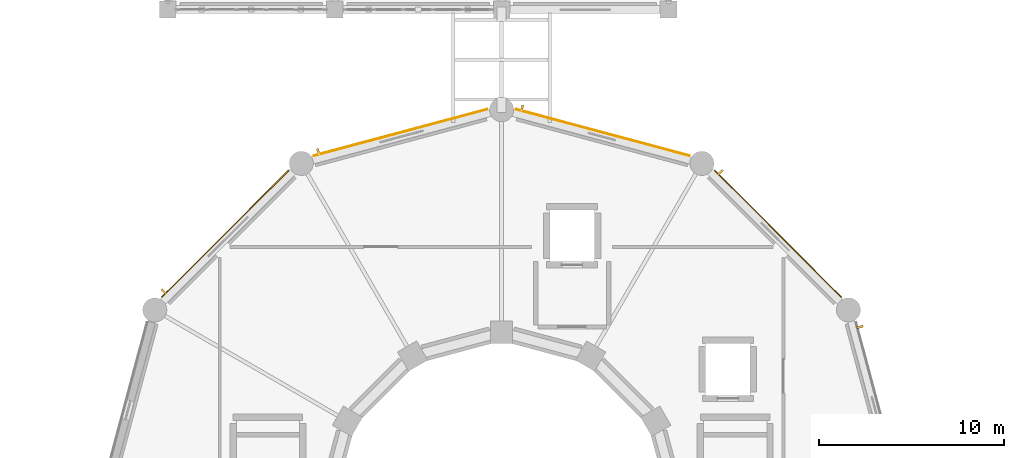
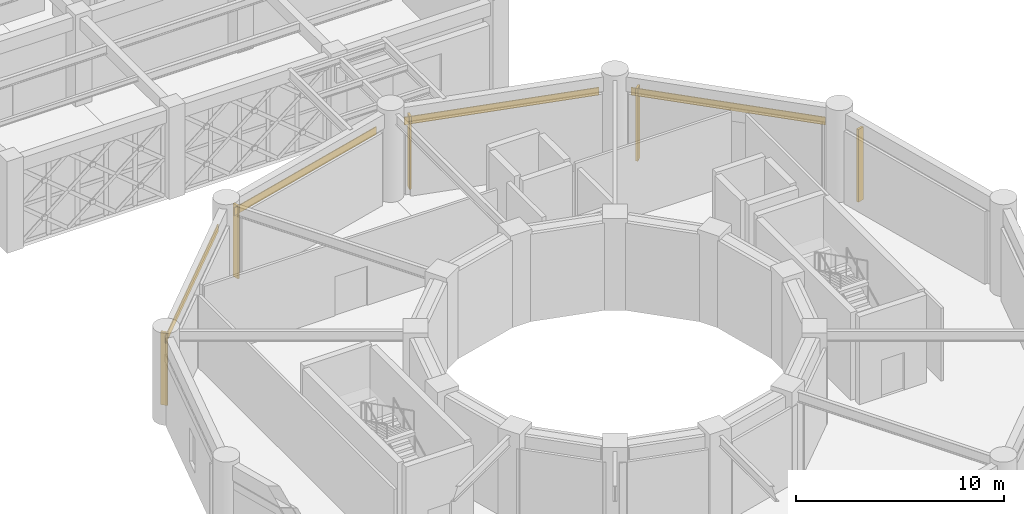
# One storey, part 163 of 166: 5 shading devices, 4 coverings.
"""IFC4 building model written with IfcOpenShell, lengths in metres."""

from ifc_helpers import new_model, si_unit, direction, frame, origin, origin_2d, place, context, subcontext, project, spatial, rectangle, extrude, material, type_object, element, save


model = new_model("IFC4")

# Units and contexts
model_context = context("Model", 3, precision=1e-05, world=origin(), true_north=direction((0.0, 1.0)))
body_context = subcontext(model_context, "Body", "Model", "MODEL_VIEW")
ifc_project = project(units=[si_unit("LENGTHUNIT", "METRE"), si_unit("AREAUNIT", "SQUARE_METRE"), si_unit("VOLUMEUNIT", "CUBIC_METRE"), si_unit("PLANEANGLEUNIT", "RADIAN"), si_unit("MASSUNIT", "GRAM", prefix="KILO")], contexts=[model_context])

# Site, building, storey
site_placement = place(None, origin())
site = spatial("IfcSite", under=ifc_project, at=site_placement, CompositionType="ELEMENT")
building_placement = place(site_placement, origin())
building = spatial("IfcBuilding", under=site, at=building_placement, Name="Haizhuo Lancet Aquarium", CompositionType="ELEMENT")
storey_placement = place(building_placement, frame((0.0, 0.0, 5.39990234375)))
storey = spatial("IfcBuildingStorey", under=building, at=storey_placement, Name="L01", CompositionType="ELEMENT", Elevation=5.39990234375)

# Coverings
ifc_material = material(Name="Shandong Grey Limestone Ashlar", Category="masonry")
covering_type = type_object("IfcCoveringType", Name="COV-CLD-STN", PredefinedType="CLADDING", material=ifc_material)
for number, where, z_axis, x_axis, name in (
    (1, (14.908935546875, 14.908935546875, 3.8251953125), (0.0, 0.0, 1.0), (0.707106781187, -0.707106781187, 0.0), "L01 limestone ashlar spandrel cladding 2"),
    (2, (5.45703125, 20.365966796875, 3.8251953125), (0.0, 0.0, 1.0), (0.965932552716, -0.25879394043, 0.0), "L01 limestone ashlar spandrel cladding 3"),
    (3, (-5.45703125, 20.365966796875, 3.8251953125), (0.0, 0.0, 1.0), (0.965932552716, 0.25879394043, 0.0), "L01 limestone ashlar spandrel cladding 4"),
    (4, (-14.908935546875, 14.908935546875, 3.8251953125), (0.0, 0.0, 1.0), (0.707106781187, 0.707106781187, 0.0), "L01 limestone ashlar spandrel cladding 5"),
):
    element("IfcCovering", number, at=place(storey_placement, frame(where, z_axis=z_axis, x_axis=x_axis)), inside=storey, type_object=covering_type, material=ifc_material, Name=name, PredefinedType="CLADDING", context=body_context, shape_type="SweptSolid", body=[
        extrude(rectangle(XDim=9.69189453125, YDim=0.050048828125, at=origin_2d()), origin(), (0.0, 0.0, 1.0), 0.449951171875),
    ])

# Shading devices
shading_device_type = type_object("IfcShadingDeviceType", Name="SHD-LAN-FIN", PredefinedType="JALOUSIE", material=ifc_material)
for number, where, z_axis, x_axis, name in (
    (5, (19.3291015625, 9.885009765625, 0.000732421875), (0.0, 0.0, 1.0), (0.25879394043, -0.965932552716, 0.0), "L01 Gothic lancet stone solar fin 1"),
    (6, (11.797119140625, 18.22607421875, 0.000732421875), (0.0, 0.0, 1.0), (0.707106781187, -0.707106781187, 0.0), "L01 Gothic lancet stone solar fin 2"),
    (7, (1.10400390625, 21.681884765625, 0.000732421875), (0.0, 0.0, 1.0), (0.965932552716, -0.25879394043, 0.0), "L01 Gothic lancet stone solar fin 3"),
    (8, (-9.885009765625, 19.3291015625, 0.000732421875), (0.0, 0.0, 1.0), (0.965932552716, 0.25879394043, 0.0), "L01 Gothic lancet stone solar fin 4"),
    (9, (-18.22607421875, 11.797119140625, 0.000732421875), (0.0, 0.0, 1.0), (0.707106781187, 0.707106781187, 0.0), "L01 Gothic lancet stone solar fin 5"),
):
    element("IfcShadingDevice", number, at=place(storey_placement, frame(where, z_axis=z_axis, x_axis=x_axis)), inside=storey, type_object=shading_device_type, material=ifc_material, Name=name, PredefinedType="JALOUSIE", context=body_context, shape_type="SweptSolid", body=[
        extrude(rectangle(XDim=0.1201171875, YDim=0.35009765625, at=origin_2d()), origin(), (0.0, 0.0, 1.0), 4.27490234375),
    ])

save(model, "model.ifc")
